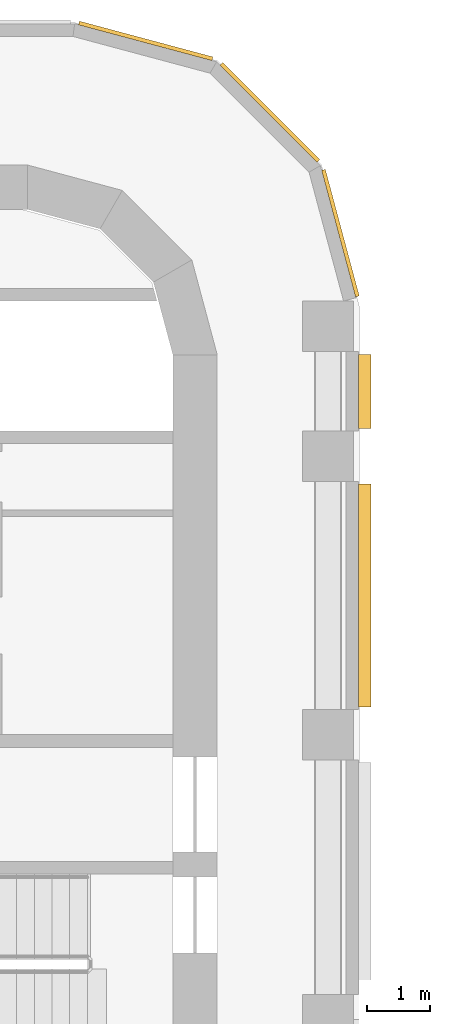
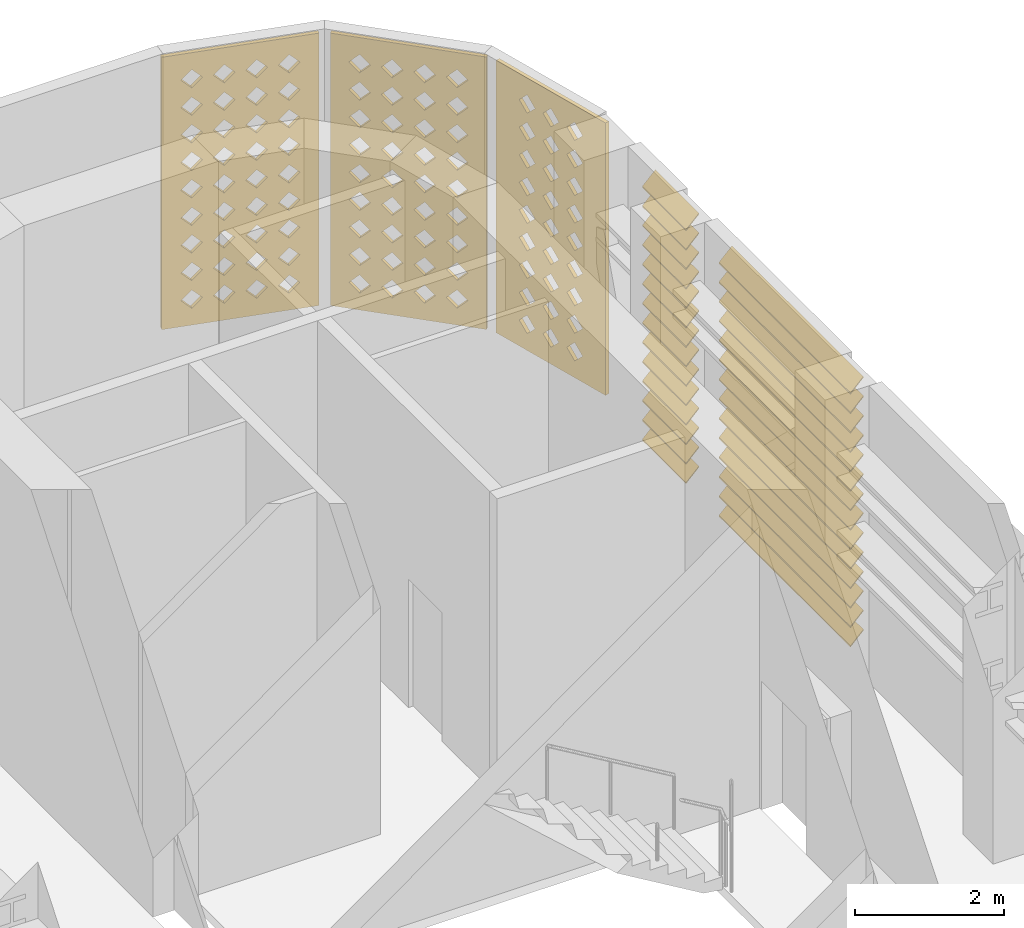
# One storey, part 20 of 21: 3 coverings, 2 shading devices.
"""IFC4 building model written with IfcOpenShell, lengths in metres."""

from ifc_helpers import new_model, si_unit, direction, frame, origin, place, context, subcontext, project, spatial, polyline, outline, extrude, source, transform, mapped, material, layer, layer_set, type_object, element, save


model = new_model("IFC4")

# Units and contexts
model_context = context("Model", 3, precision=1e-05, world=origin(), true_north=direction((0.0, 1.0)))
body_context = subcontext(model_context, "Body", "Model", "MODEL_VIEW")
ifc_project = project(units=[si_unit("LENGTHUNIT", "METRE"), si_unit("AREAUNIT", "SQUARE_METRE"), si_unit("VOLUMEUNIT", "CUBIC_METRE"), si_unit("PLANEANGLEUNIT", "RADIAN"), si_unit("MASSUNIT", "GRAM", prefix="KILO")], contexts=[model_context])

# Site, building, storey
site_placement = place(None, origin())
site = spatial("IfcSite", under=ifc_project, at=site_placement, CompositionType="ELEMENT")
building_placement = place(site_placement, origin())
building = spatial("IfcBuilding", under=site, at=building_placement, Name="Zarbagh Exchange Tower", CompositionType="ELEMENT")
storey_placement = place(building_placement, frame((0.0, 0.0, 190.39990234375)))
storey = spatial("IfcBuildingStorey", under=building, at=storey_placement, Name="L46", CompositionType="ELEMENT", Elevation=190.39990234375)

# Coverings
ifc_material_1 = material(Name="Glass-fibre reinforced concrete GFRC C50/60", Category="concrete")
ifc_layer = layer(ifc_material_1, 0.06005859375)
ifc_layer_set = layer_set([ifc_layer], Name="SCREEN jali panel, GFRC")
covering_type = type_object("IfcCoveringType", Name="SCREEN jali panel, GFRC", PredefinedType="CLADDING", material=ifc_layer_set)
shared_shape_1 = source(origin(), body_context, "Body", "SweptSolid", [
    extrude(outline(polyline([(0.0, 0.0), (2.1650390625, 0.0), (2.1650390625, 4.449951171875), (0.0, 4.449951171875), (0.0, 0.0)]), holes=[polyline([(0.257568359375, 0.425048828125), (0.407470703125, 0.27490234375), (0.5576171875, 0.425048828125), (0.407470703125, 0.574951171875), (0.257568359375, 0.425048828125)]), polyline([(0.257568359375, 0.875), (0.407470703125, 0.72509765625), (0.5576171875, 0.875), (0.407470703125, 1.02490234375), (0.257568359375, 0.875)]), polyline([(0.257568359375, 1.324951171875), (0.407470703125, 1.175048828125), (0.5576171875, 1.324951171875), (0.407470703125, 1.47509765625), (0.257568359375, 1.324951171875)]), polyline([(0.257568359375, 1.77490234375), (0.407470703125, 1.625), (0.5576171875, 1.77490234375), (0.407470703125, 1.925048828125), (0.257568359375, 1.77490234375)]), polyline([(0.257568359375, 2.22509765625), (0.407470703125, 2.074951171875), (0.5576171875, 2.22509765625), (0.407470703125, 2.375), (0.257568359375, 2.22509765625)]), polyline([(0.257568359375, 2.675048828125), (0.407470703125, 2.52490234375), (0.5576171875, 2.675048828125), (0.407470703125, 2.824951171875), (0.257568359375, 2.675048828125)]), polyline([(0.257568359375, 3.125), (0.407470703125, 2.97509765625), (0.5576171875, 3.125), (0.407470703125, 3.27490234375), (0.257568359375, 3.125)]), polyline([(0.257568359375, 3.574951171875), (0.407470703125, 3.425048828125), (0.5576171875, 3.574951171875), (0.407470703125, 3.72509765625), (0.257568359375, 3.574951171875)]), polyline([(0.257568359375, 4.02490234375), (0.407470703125, 3.875), (0.5576171875, 4.02490234375), (0.407470703125, 4.175048828125), (0.257568359375, 4.02490234375)]), polyline([(0.70751953125, 0.425048828125), (0.857421875, 0.27490234375), (1.007568359375, 0.425048828125), (0.857421875, 0.574951171875), (0.70751953125, 0.425048828125)]), polyline([(0.70751953125, 0.875), (0.857421875, 0.72509765625), (1.007568359375, 0.875), (0.857421875, 1.02490234375), (0.70751953125, 0.875)]), polyline([(0.70751953125, 1.324951171875), (0.857421875, 1.175048828125), (1.007568359375, 1.324951171875), (0.857421875, 1.47509765625), (0.70751953125, 1.324951171875)]), polyline([(0.70751953125, 1.77490234375), (0.857421875, 1.625), (1.007568359375, 1.77490234375), (0.857421875, 1.925048828125), (0.70751953125, 1.77490234375)]), polyline([(0.70751953125, 2.22509765625), (0.857421875, 2.074951171875), (1.007568359375, 2.22509765625), (0.857421875, 2.375), (0.70751953125, 2.22509765625)]), polyline([(0.70751953125, 2.675048828125), (0.857421875, 2.52490234375), (1.007568359375, 2.675048828125), (0.857421875, 2.824951171875), (0.70751953125, 2.675048828125)]), polyline([(0.70751953125, 3.125), (0.857421875, 2.97509765625), (1.007568359375, 3.125), (0.857421875, 3.27490234375), (0.70751953125, 3.125)]), polyline([(0.70751953125, 3.574951171875), (0.857421875, 3.425048828125), (1.007568359375, 3.574951171875), (0.857421875, 3.72509765625), (0.70751953125, 3.574951171875)]), polyline([(0.70751953125, 4.02490234375), (0.857421875, 3.875), (1.007568359375, 4.02490234375), (0.857421875, 4.175048828125), (0.70751953125, 4.02490234375)]), polyline([(1.157470703125, 0.425048828125), (1.3076171875, 0.27490234375), (1.45751953125, 0.425048828125), (1.3076171875, 0.574951171875), (1.157470703125, 0.425048828125)]), polyline([(1.157470703125, 0.875), (1.3076171875, 0.72509765625), (1.45751953125, 0.875), (1.3076171875, 1.02490234375), (1.157470703125, 0.875)]), polyline([(1.157470703125, 1.324951171875), (1.3076171875, 1.175048828125), (1.45751953125, 1.324951171875), (1.3076171875, 1.47509765625), (1.157470703125, 1.324951171875)]), polyline([(1.157470703125, 1.77490234375), (1.3076171875, 1.625), (1.45751953125, 1.77490234375), (1.3076171875, 1.925048828125), (1.157470703125, 1.77490234375)]), polyline([(1.157470703125, 2.22509765625), (1.3076171875, 2.074951171875), (1.45751953125, 2.22509765625), (1.3076171875, 2.375), (1.157470703125, 2.22509765625)]), polyline([(1.157470703125, 2.675048828125), (1.3076171875, 2.52490234375), (1.45751953125, 2.675048828125), (1.3076171875, 2.824951171875), (1.157470703125, 2.675048828125)]), polyline([(1.157470703125, 3.125), (1.3076171875, 2.97509765625), (1.45751953125, 3.125), (1.3076171875, 3.27490234375), (1.157470703125, 3.125)]), polyline([(1.157470703125, 3.574951171875), (1.3076171875, 3.425048828125), (1.45751953125, 3.574951171875), (1.3076171875, 3.72509765625), (1.157470703125, 3.574951171875)]), polyline([(1.157470703125, 4.02490234375), (1.3076171875, 3.875), (1.45751953125, 4.02490234375), (1.3076171875, 4.175048828125), (1.157470703125, 4.02490234375)]), polyline([(1.607421875, 0.425048828125), (1.757568359375, 0.27490234375), (1.907470703125, 0.425048828125), (1.757568359375, 0.574951171875), (1.607421875, 0.425048828125)]), polyline([(1.607421875, 0.875), (1.757568359375, 0.72509765625), (1.907470703125, 0.875), (1.757568359375, 1.02490234375), (1.607421875, 0.875)]), polyline([(1.607421875, 1.324951171875), (1.757568359375, 1.175048828125), (1.907470703125, 1.324951171875), (1.757568359375, 1.47509765625), (1.607421875, 1.324951171875)]), polyline([(1.607421875, 1.77490234375), (1.757568359375, 1.625), (1.907470703125, 1.77490234375), (1.757568359375, 1.925048828125), (1.607421875, 1.77490234375)]), polyline([(1.607421875, 2.22509765625), (1.757568359375, 2.074951171875), (1.907470703125, 2.22509765625), (1.757568359375, 2.375), (1.607421875, 2.22509765625)]), polyline([(1.607421875, 2.675048828125), (1.757568359375, 2.52490234375), (1.907470703125, 2.675048828125), (1.757568359375, 2.824951171875), (1.607421875, 2.675048828125)]), polyline([(1.607421875, 3.125), (1.757568359375, 2.97509765625), (1.907470703125, 3.125), (1.757568359375, 3.27490234375), (1.607421875, 3.125)]), polyline([(1.607421875, 3.574951171875), (1.757568359375, 3.425048828125), (1.907470703125, 3.574951171875), (1.757568359375, 3.72509765625), (1.607421875, 3.574951171875)]), polyline([(1.607421875, 4.02490234375), (1.757568359375, 3.875), (1.907470703125, 4.02490234375), (1.757568359375, 4.175048828125), (1.607421875, 4.02490234375)])]), origin(), (0.0, 0.0, 1.0), 0.06005859375),
])
placement = place(storey_placement, origin())
element("IfcCovering", 1, at=placement, inside=storey, type_object=covering_type, Name="JS49 jali screen", PredefinedType="CLADDING", context=body_context, shape_type="MappedRepresentation", body=[
    mapped(shared_shape_1, transform((6.074951171875, 29.2939453125, 0.2001953125), x_axis=(-0.707106781187, 0.707106781187, 0.0), y_axis=(0.0, 0.0, 1.0), z_axis=(0.707106781187, 0.707106781187, 0.0))),
])
shared_shape_2 = source(origin(), body_context, "Body", "SweptSolid", [
    extrude(outline(polyline([(0.0, 0.0), (2.181396484375, 0.0), (2.181396484375, 4.449951171875), (0.0, 4.449951171875), (0.0, 0.0)]), holes=[polyline([(0.265625, 0.425048828125), (0.415771484375, 0.27490234375), (0.565673828125, 0.425048828125), (0.415771484375, 0.574951171875), (0.265625, 0.425048828125)]), polyline([(0.265625, 0.875), (0.415771484375, 0.72509765625), (0.565673828125, 0.875), (0.415771484375, 1.02490234375), (0.265625, 0.875)]), polyline([(0.265625, 1.324951171875), (0.415771484375, 1.175048828125), (0.565673828125, 1.324951171875), (0.415771484375, 1.47509765625), (0.265625, 1.324951171875)]), polyline([(0.265625, 1.77490234375), (0.415771484375, 1.625), (0.565673828125, 1.77490234375), (0.415771484375, 1.925048828125), (0.265625, 1.77490234375)]), polyline([(0.265625, 2.22509765625), (0.415771484375, 2.074951171875), (0.565673828125, 2.22509765625), (0.415771484375, 2.375), (0.265625, 2.22509765625)]), polyline([(0.265625, 2.675048828125), (0.415771484375, 2.52490234375), (0.565673828125, 2.675048828125), (0.415771484375, 2.824951171875), (0.265625, 2.675048828125)]), polyline([(0.265625, 3.125), (0.415771484375, 2.97509765625), (0.565673828125, 3.125), (0.415771484375, 3.27490234375), (0.265625, 3.125)]), polyline([(0.265625, 3.574951171875), (0.415771484375, 3.425048828125), (0.565673828125, 3.574951171875), (0.415771484375, 3.72509765625), (0.265625, 3.574951171875)]), polyline([(0.265625, 4.02490234375), (0.415771484375, 3.875), (0.565673828125, 4.02490234375), (0.415771484375, 4.175048828125), (0.265625, 4.02490234375)]), polyline([(0.7158203125, 0.425048828125), (0.86572265625, 0.27490234375), (1.015625, 0.425048828125), (0.86572265625, 0.574951171875), (0.7158203125, 0.425048828125)]), polyline([(0.7158203125, 0.875), (0.86572265625, 0.72509765625), (1.015625, 0.875), (0.86572265625, 1.02490234375), (0.7158203125, 0.875)]), polyline([(0.7158203125, 1.324951171875), (0.86572265625, 1.175048828125), (1.015625, 1.324951171875), (0.86572265625, 1.47509765625), (0.7158203125, 1.324951171875)]), polyline([(0.7158203125, 1.77490234375), (0.86572265625, 1.625), (1.015625, 1.77490234375), (0.86572265625, 1.925048828125), (0.7158203125, 1.77490234375)]), polyline([(0.7158203125, 2.22509765625), (0.86572265625, 2.074951171875), (1.015625, 2.22509765625), (0.86572265625, 2.375), (0.7158203125, 2.22509765625)]), polyline([(0.7158203125, 2.675048828125), (0.86572265625, 2.52490234375), (1.015625, 2.675048828125), (0.86572265625, 2.824951171875), (0.7158203125, 2.675048828125)]), polyline([(0.7158203125, 3.125), (0.86572265625, 2.97509765625), (1.015625, 3.125), (0.86572265625, 3.27490234375), (0.7158203125, 3.125)]), polyline([(0.7158203125, 3.574951171875), (0.86572265625, 3.425048828125), (1.015625, 3.574951171875), (0.86572265625, 3.72509765625), (0.7158203125, 3.574951171875)]), polyline([(0.7158203125, 4.02490234375), (0.86572265625, 3.875), (1.015625, 4.02490234375), (0.86572265625, 4.175048828125), (0.7158203125, 4.02490234375)]), polyline([(1.165771484375, 0.425048828125), (1.315673828125, 0.27490234375), (1.4658203125, 0.425048828125), (1.315673828125, 0.574951171875), (1.165771484375, 0.425048828125)]), polyline([(1.165771484375, 0.875), (1.315673828125, 0.72509765625), (1.4658203125, 0.875), (1.315673828125, 1.02490234375), (1.165771484375, 0.875)]), polyline([(1.165771484375, 1.324951171875), (1.315673828125, 1.175048828125), (1.4658203125, 1.324951171875), (1.315673828125, 1.47509765625), (1.165771484375, 1.324951171875)]), polyline([(1.165771484375, 1.77490234375), (1.315673828125, 1.625), (1.4658203125, 1.77490234375), (1.315673828125, 1.925048828125), (1.165771484375, 1.77490234375)]), polyline([(1.165771484375, 2.22509765625), (1.315673828125, 2.074951171875), (1.4658203125, 2.22509765625), (1.315673828125, 2.375), (1.165771484375, 2.22509765625)]), polyline([(1.165771484375, 2.675048828125), (1.315673828125, 2.52490234375), (1.4658203125, 2.675048828125), (1.315673828125, 2.824951171875), (1.165771484375, 2.675048828125)]), polyline([(1.165771484375, 3.125), (1.315673828125, 2.97509765625), (1.4658203125, 3.125), (1.315673828125, 3.27490234375), (1.165771484375, 3.125)]), polyline([(1.165771484375, 3.574951171875), (1.315673828125, 3.425048828125), (1.4658203125, 3.574951171875), (1.315673828125, 3.72509765625), (1.165771484375, 3.574951171875)]), polyline([(1.165771484375, 4.02490234375), (1.315673828125, 3.875), (1.4658203125, 4.02490234375), (1.315673828125, 4.175048828125), (1.165771484375, 4.02490234375)]), polyline([(1.61572265625, 0.425048828125), (1.765625, 0.27490234375), (1.915771484375, 0.425048828125), (1.765625, 0.574951171875), (1.61572265625, 0.425048828125)]), polyline([(1.61572265625, 0.875), (1.765625, 0.72509765625), (1.915771484375, 0.875), (1.765625, 1.02490234375), (1.61572265625, 0.875)]), polyline([(1.61572265625, 1.324951171875), (1.765625, 1.175048828125), (1.915771484375, 1.324951171875), (1.765625, 1.47509765625), (1.61572265625, 1.324951171875)]), polyline([(1.61572265625, 1.77490234375), (1.765625, 1.625), (1.915771484375, 1.77490234375), (1.765625, 1.925048828125), (1.61572265625, 1.77490234375)]), polyline([(1.61572265625, 2.22509765625), (1.765625, 2.074951171875), (1.915771484375, 2.22509765625), (1.765625, 2.375), (1.61572265625, 2.22509765625)]), polyline([(1.61572265625, 2.675048828125), (1.765625, 2.52490234375), (1.915771484375, 2.675048828125), (1.765625, 2.824951171875), (1.61572265625, 2.675048828125)]), polyline([(1.61572265625, 3.125), (1.765625, 2.97509765625), (1.915771484375, 3.125), (1.765625, 3.27490234375), (1.61572265625, 3.125)]), polyline([(1.61572265625, 3.574951171875), (1.765625, 3.425048828125), (1.915771484375, 3.574951171875), (1.765625, 3.72509765625), (1.61572265625, 3.574951171875)]), polyline([(1.61572265625, 4.02490234375), (1.765625, 3.875), (1.915771484375, 4.02490234375), (1.765625, 4.175048828125), (1.61572265625, 4.02490234375)])]), origin(), (0.0, 0.0, 1.0), 0.06005859375),
])
element("IfcCovering", 2, at=placement, inside=storey, type_object=covering_type, Name="JS50 jali screen", PredefinedType="CLADDING", context=body_context, shape_type="MappedRepresentation", body=[
    mapped(shared_shape_2, transform((4.41552734375, 30.89892578125, 0.2001953125), x_axis=(-0.965924215207, 0.258825057666, 0.0), y_axis=(0.0, 0.0, 1.0), z_axis=(0.258825057666, 0.965924215207, 0.0))),
])

# Shading devices
ifc_material_2 = material(Name="Anodised aluminium", Category="aluminium")
shading_device_type = type_object("IfcShadingDeviceType", Name="LOUVRE plant louvre, fixed blades", PredefinedType="USERDEFINED", material=ifc_material_2)
shared_shape_3 = source(origin(), body_context, "Body", "SweptSolid", [
    extrude(outline(polyline([(0.0, 0.199951171875), (0.199951171875, 0.0), (0.199951171875, -0.02001953125), (0.0, 0.179931640625), (0.0, 0.199951171875)])), origin(), (0.0, 0.0, 1.0), 1.169921875),
])
element("IfcShadingDevice", 3, at=placement, inside=storey, type_object=shading_device_type, Name="LV11 plant louvre", ObjectType="LOUVRE", PredefinedType="USERDEFINED", context=body_context, shape_type="MappedRepresentation", body=[
    mapped(shared_shape_3, transform((6.72998046875, 25.090087890625, 0.2001953125), x_axis=(1.0, 0.0, 0.0), y_axis=(0.0, 0.0, -1.0), z_axis=(0.0, 1.0, 0.0))),
    mapped(shared_shape_3, transform((6.72998046875, 25.090087890625, 0.51806640625), x_axis=(1.0, 0.0, 0.0), y_axis=(0.0, 0.0, -1.0), z_axis=(0.0, 1.0, 0.0))),
    mapped(shared_shape_3, transform((6.72998046875, 25.090087890625, 0.835693359375), x_axis=(1.0, 0.0, 0.0), y_axis=(0.0, 0.0, -1.0), z_axis=(0.0, 1.0, 0.0))),
    mapped(shared_shape_3, transform((6.72998046875, 25.090087890625, 1.153564453125), x_axis=(1.0, 0.0, 0.0), y_axis=(0.0, 0.0, -1.0), z_axis=(0.0, 1.0, 0.0))),
    mapped(shared_shape_3, transform((6.72998046875, 25.090087890625, 1.471435546875), x_axis=(1.0, 0.0, 0.0), y_axis=(0.0, 0.0, -1.0), z_axis=(0.0, 1.0, 0.0))),
    mapped(shared_shape_3, transform((6.72998046875, 25.090087890625, 1.789306640625), x_axis=(1.0, 0.0, 0.0), y_axis=(0.0, 0.0, -1.0), z_axis=(0.0, 1.0, 0.0))),
    mapped(shared_shape_3, transform((6.72998046875, 25.090087890625, 2.107177734375), x_axis=(1.0, 0.0, 0.0), y_axis=(0.0, 0.0, -1.0), z_axis=(0.0, 1.0, 0.0))),
    mapped(shared_shape_3, transform((6.72998046875, 25.090087890625, 2.425048828125), x_axis=(1.0, 0.0, 0.0), y_axis=(0.0, 0.0, -1.0), z_axis=(0.0, 1.0, 0.0))),
    mapped(shared_shape_3, transform((6.72998046875, 25.090087890625, 2.742919921875), x_axis=(1.0, 0.0, 0.0), y_axis=(0.0, 0.0, -1.0), z_axis=(0.0, 1.0, 0.0))),
    mapped(shared_shape_3, transform((6.72998046875, 25.090087890625, 3.060791015625), x_axis=(1.0, 0.0, 0.0), y_axis=(0.0, 0.0, -1.0), z_axis=(0.0, 1.0, 0.0))),
    mapped(shared_shape_3, transform((6.72998046875, 25.090087890625, 3.378662109375), x_axis=(1.0, 0.0, 0.0), y_axis=(0.0, 0.0, -1.0), z_axis=(0.0, 1.0, 0.0))),
    mapped(shared_shape_3, transform((6.72998046875, 25.090087890625, 3.696533203125), x_axis=(1.0, 0.0, 0.0), y_axis=(0.0, 0.0, -1.0), z_axis=(0.0, 1.0, 0.0))),
    mapped(shared_shape_3, transform((6.72998046875, 25.090087890625, 4.014404296875), x_axis=(1.0, 0.0, 0.0), y_axis=(0.0, 0.0, -1.0), z_axis=(0.0, 1.0, 0.0))),
    mapped(shared_shape_3, transform((6.72998046875, 25.090087890625, 4.332275390625), x_axis=(1.0, 0.0, 0.0), y_axis=(0.0, 0.0, -1.0), z_axis=(0.0, 1.0, 0.0))),
])
shared_shape_4 = source(origin(), body_context, "Body", "SweptSolid", [
    extrude(outline(polyline([(0.0, 0.199951171875), (0.199951171875, 0.0), (0.199951171875, -0.02001953125), (0.0, 0.179931640625), (0.0, 0.199951171875)])), origin(), (0.0, 0.0, 1.0), 3.52001953125),
])
element("IfcShadingDevice", 4, at=placement, inside=storey, type_object=shading_device_type, Name="LV11 plant louvre", ObjectType="LOUVRE", PredefinedType="USERDEFINED", context=body_context, shape_type="MappedRepresentation", body=[
    mapped(shared_shape_4, transform((6.72998046875, 20.68994140625, 0.2001953125), x_axis=(1.0, 0.0, 0.0), y_axis=(0.0, 0.0, -1.0), z_axis=(0.0, 1.0, 0.0))),
    mapped(shared_shape_4, transform((6.72998046875, 20.68994140625, 0.51806640625), x_axis=(1.0, 0.0, 0.0), y_axis=(0.0, 0.0, -1.0), z_axis=(0.0, 1.0, 0.0))),
    mapped(shared_shape_4, transform((6.72998046875, 20.68994140625, 0.835693359375), x_axis=(1.0, 0.0, 0.0), y_axis=(0.0, 0.0, -1.0), z_axis=(0.0, 1.0, 0.0))),
    mapped(shared_shape_4, transform((6.72998046875, 20.68994140625, 1.153564453125), x_axis=(1.0, 0.0, 0.0), y_axis=(0.0, 0.0, -1.0), z_axis=(0.0, 1.0, 0.0))),
    mapped(shared_shape_4, transform((6.72998046875, 20.68994140625, 1.471435546875), x_axis=(1.0, 0.0, 0.0), y_axis=(0.0, 0.0, -1.0), z_axis=(0.0, 1.0, 0.0))),
    mapped(shared_shape_4, transform((6.72998046875, 20.68994140625, 1.789306640625), x_axis=(1.0, 0.0, 0.0), y_axis=(0.0, 0.0, -1.0), z_axis=(0.0, 1.0, 0.0))),
    mapped(shared_shape_4, transform((6.72998046875, 20.68994140625, 2.107177734375), x_axis=(1.0, 0.0, 0.0), y_axis=(0.0, 0.0, -1.0), z_axis=(0.0, 1.0, 0.0))),
    mapped(shared_shape_4, transform((6.72998046875, 20.68994140625, 2.425048828125), x_axis=(1.0, 0.0, 0.0), y_axis=(0.0, 0.0, -1.0), z_axis=(0.0, 1.0, 0.0))),
    mapped(shared_shape_4, transform((6.72998046875, 20.68994140625, 2.742919921875), x_axis=(1.0, 0.0, 0.0), y_axis=(0.0, 0.0, -1.0), z_axis=(0.0, 1.0, 0.0))),
    mapped(shared_shape_4, transform((6.72998046875, 20.68994140625, 3.060791015625), x_axis=(1.0, 0.0, 0.0), y_axis=(0.0, 0.0, -1.0), z_axis=(0.0, 1.0, 0.0))),
    mapped(shared_shape_4, transform((6.72998046875, 20.68994140625, 3.378662109375), x_axis=(1.0, 0.0, 0.0), y_axis=(0.0, 0.0, -1.0), z_axis=(0.0, 1.0, 0.0))),
    mapped(shared_shape_4, transform((6.72998046875, 20.68994140625, 3.696533203125), x_axis=(1.0, 0.0, 0.0), y_axis=(0.0, 0.0, -1.0), z_axis=(0.0, 1.0, 0.0))),
    mapped(shared_shape_4, transform((6.72998046875, 20.68994140625, 4.014404296875), x_axis=(1.0, 0.0, 0.0), y_axis=(0.0, 0.0, -1.0), z_axis=(0.0, 1.0, 0.0))),
    mapped(shared_shape_4, transform((6.72998046875, 20.68994140625, 4.332275390625), x_axis=(1.0, 0.0, 0.0), y_axis=(0.0, 0.0, -1.0), z_axis=(0.0, 1.0, 0.0))),
])

# Covering
shared_shape_5 = source(origin(), body_context, "Body", "SweptSolid", [
    extrude(outline(polyline([(0.0, 0.0), (2.070068359375, 0.0), (2.070068359375, 4.449951171875), (0.0, 4.449951171875), (0.0, 0.0)]), holes=[polyline([(0.43505859375, 0.425048828125), (0.5849609375, 0.27490234375), (0.735107421875, 0.425048828125), (0.5849609375, 0.574951171875), (0.43505859375, 0.425048828125)]), polyline([(0.43505859375, 0.875), (0.5849609375, 0.72509765625), (0.735107421875, 0.875), (0.5849609375, 1.02490234375), (0.43505859375, 0.875)]), polyline([(0.43505859375, 1.324951171875), (0.5849609375, 1.175048828125), (0.735107421875, 1.324951171875), (0.5849609375, 1.47509765625), (0.43505859375, 1.324951171875)]), polyline([(0.43505859375, 1.77490234375), (0.5849609375, 1.625), (0.735107421875, 1.77490234375), (0.5849609375, 1.925048828125), (0.43505859375, 1.77490234375)]), polyline([(0.43505859375, 2.22509765625), (0.5849609375, 2.074951171875), (0.735107421875, 2.22509765625), (0.5849609375, 2.375), (0.43505859375, 2.22509765625)]), polyline([(0.43505859375, 2.675048828125), (0.5849609375, 2.52490234375), (0.735107421875, 2.675048828125), (0.5849609375, 2.824951171875), (0.43505859375, 2.675048828125)]), polyline([(0.43505859375, 3.125), (0.5849609375, 2.97509765625), (0.735107421875, 3.125), (0.5849609375, 3.27490234375), (0.43505859375, 3.125)]), polyline([(0.43505859375, 3.574951171875), (0.5849609375, 3.425048828125), (0.735107421875, 3.574951171875), (0.5849609375, 3.72509765625), (0.43505859375, 3.574951171875)]), polyline([(0.43505859375, 4.02490234375), (0.5849609375, 3.875), (0.735107421875, 4.02490234375), (0.5849609375, 4.175048828125), (0.43505859375, 4.02490234375)]), polyline([(0.885009765625, 0.425048828125), (1.03515625, 0.27490234375), (1.18505859375, 0.425048828125), (1.03515625, 0.574951171875), (0.885009765625, 0.425048828125)]), polyline([(0.885009765625, 0.875), (1.03515625, 0.72509765625), (1.18505859375, 0.875), (1.03515625, 1.02490234375), (0.885009765625, 0.875)]), polyline([(0.885009765625, 1.324951171875), (1.03515625, 1.175048828125), (1.18505859375, 1.324951171875), (1.03515625, 1.47509765625), (0.885009765625, 1.324951171875)]), polyline([(0.885009765625, 1.77490234375), (1.03515625, 1.625), (1.18505859375, 1.77490234375), (1.03515625, 1.925048828125), (0.885009765625, 1.77490234375)]), polyline([(0.885009765625, 2.22509765625), (1.03515625, 2.074951171875), (1.18505859375, 2.22509765625), (1.03515625, 2.375), (0.885009765625, 2.22509765625)]), polyline([(0.885009765625, 2.675048828125), (1.03515625, 2.52490234375), (1.18505859375, 2.675048828125), (1.03515625, 2.824951171875), (0.885009765625, 2.675048828125)]), polyline([(0.885009765625, 3.125), (1.03515625, 2.97509765625), (1.18505859375, 3.125), (1.03515625, 3.27490234375), (0.885009765625, 3.125)]), polyline([(0.885009765625, 3.574951171875), (1.03515625, 3.425048828125), (1.18505859375, 3.574951171875), (1.03515625, 3.72509765625), (0.885009765625, 3.574951171875)]), polyline([(0.885009765625, 4.02490234375), (1.03515625, 3.875), (1.18505859375, 4.02490234375), (1.03515625, 4.175048828125), (0.885009765625, 4.02490234375)]), polyline([(1.3349609375, 0.425048828125), (1.485107421875, 0.27490234375), (1.635009765625, 0.425048828125), (1.485107421875, 0.574951171875), (1.3349609375, 0.425048828125)]), polyline([(1.3349609375, 0.875), (1.485107421875, 0.72509765625), (1.635009765625, 0.875), (1.485107421875, 1.02490234375), (1.3349609375, 0.875)]), polyline([(1.3349609375, 1.324951171875), (1.485107421875, 1.175048828125), (1.635009765625, 1.324951171875), (1.485107421875, 1.47509765625), (1.3349609375, 1.324951171875)]), polyline([(1.3349609375, 1.77490234375), (1.485107421875, 1.625), (1.635009765625, 1.77490234375), (1.485107421875, 1.925048828125), (1.3349609375, 1.77490234375)]), polyline([(1.3349609375, 2.22509765625), (1.485107421875, 2.074951171875), (1.635009765625, 2.22509765625), (1.485107421875, 2.375), (1.3349609375, 2.22509765625)]), polyline([(1.3349609375, 2.675048828125), (1.485107421875, 2.52490234375), (1.635009765625, 2.675048828125), (1.485107421875, 2.824951171875), (1.3349609375, 2.675048828125)]), polyline([(1.3349609375, 3.125), (1.485107421875, 2.97509765625), (1.635009765625, 3.125), (1.485107421875, 3.27490234375), (1.3349609375, 3.125)]), polyline([(1.3349609375, 3.574951171875), (1.485107421875, 3.425048828125), (1.635009765625, 3.574951171875), (1.485107421875, 3.72509765625), (1.3349609375, 3.574951171875)]), polyline([(1.3349609375, 4.02490234375), (1.485107421875, 3.875), (1.635009765625, 4.02490234375), (1.485107421875, 4.175048828125), (1.3349609375, 4.02490234375)])]), origin(), (0.0, 0.0, 1.0), 0.06005859375),
])
element("IfcCovering", 5, at=placement, inside=storey, type_object=covering_type, Name="JS48 jali screen", PredefinedType="CLADDING", context=body_context, shape_type="MappedRepresentation", body=[
    mapped(shared_shape_5, transform((6.684814453125, 27.165771484375, 0.2001953125), x_axis=(-0.258825057666, 0.965924215207, 0.0), y_axis=(0.0, 0.0, 1.0), z_axis=(0.965924215207, 0.258825057666, 0.0))),
])

save(model, "model.ifc")
